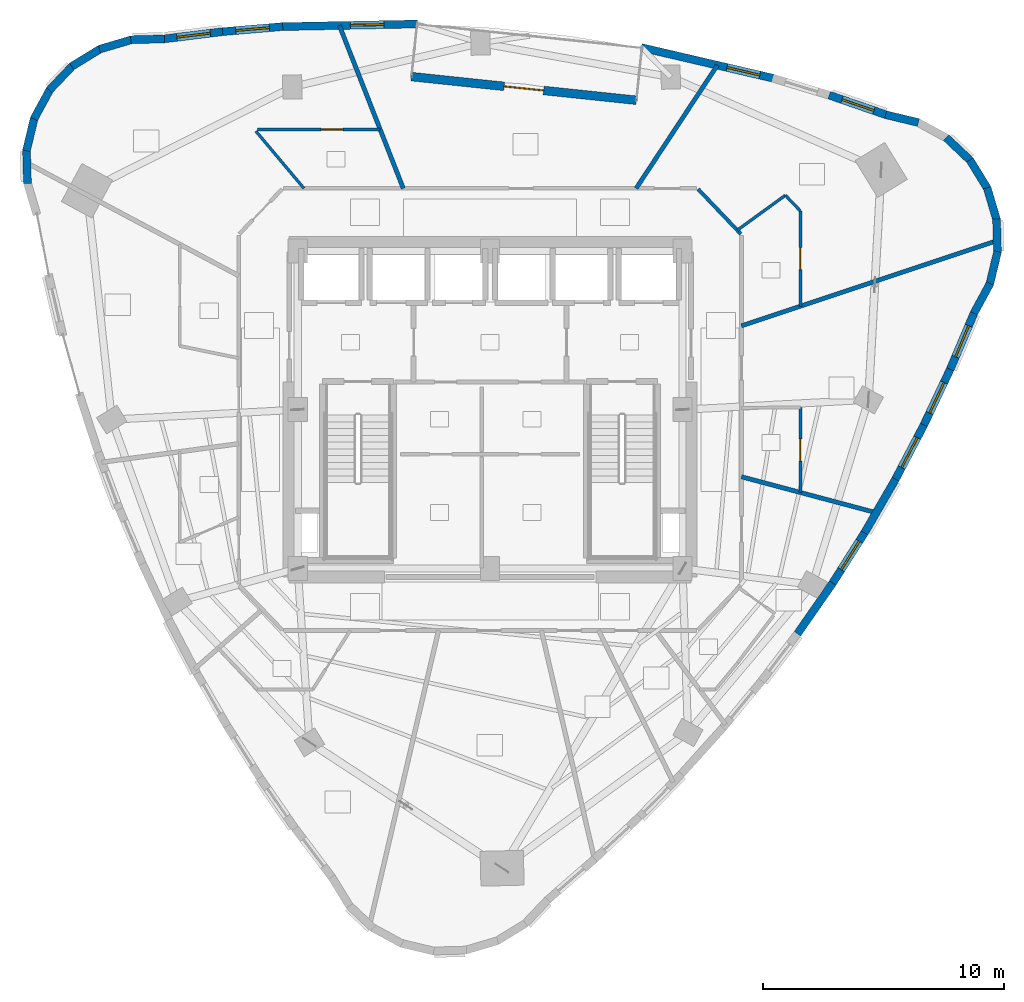
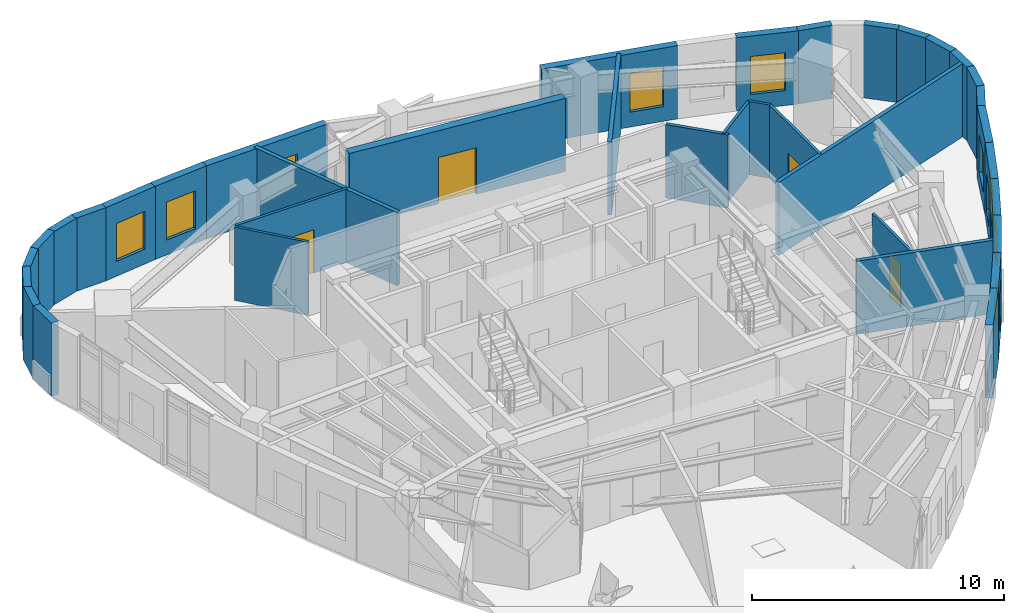
# One storey, part 12 of 16: 37 walls, 9 windows, 4 doors, 13 openings.
"""IFC4 building model written with IfcOpenShell, lengths in metres."""

import ifcopenshell
import ifcopenshell.guid

model = None  # the IFC model being written
_history = None  # IfcOwnerHistory: only IFC2X3 demands one
_inside = {}  # id of a spatial element -> (the spatial element, [elements in it])
_under = {}  # id of a project, library or spatial element -> (it, [spatial elements below it])
_declared = {}  # id of a project -> (the project, [libraries it declares])
_typed = {}  # id of a type object -> (the type object, [elements of that type])
_made_of = {}  # id of a material, layer set ... -> (it, [elements and type objects made of it])


def new_model(schema):
    """Start an empty IFC model of exactly this schema.

    Asked for "IFC4X3", IfcOpenShell would pick the latest addendum, in which some entities
    have other attributes; the version numbers below select the first issue.
    IFC2X3 requires an IfcOwnerHistory on every rooted entity: one is made here for all.
    """
    global model, _history
    if schema == "IFC4X3":
        model = ifcopenshell.file(schema_version=(4, 3, 0, 0))
    else:
        model = ifcopenshell.file(schema=schema)
    _inside.clear()
    _under.clear()
    _declared.clear()
    _typed.clear()
    _made_of.clear()
    _history = None
    if model.schema == "IFC2X3":
        org = make("IfcOrganization", Name="unknown")
        user = make(
            "IfcPersonAndOrganization",
            ThePerson=make("IfcPerson", FamilyName="unknown"),
            TheOrganization=org,
        )
        app = make(
            "IfcApplication",
            ApplicationDeveloper=org,
            Version="unknown",
            ApplicationFullName="unknown",
            ApplicationIdentifier="unknown",
        )
        _history = make(
            "IfcOwnerHistory",
            OwningUser=user,
            OwningApplication=app,
            ChangeAction="ADDED",
            CreationDate=0,
        )
    return model


def make(cls, **values):
    """One entity of the class cls with the attributes given. An attribute that is None is left unset."""
    return model.create_entity(
        cls, **{name: value for name, value in values.items() if value is not None}
    )


def rooted(cls, **values):
    """An entity with a GlobalId (a new one), such as an element, a storey or a relation."""
    return make(cls, GlobalId=ifcopenshell.guid.new(), OwnerHistory=_history, **values)


def si_unit(unit_type, name, prefix=None):
    """IfcSIUnit, for example si_unit("LENGTHUNIT", "METRE", prefix="MILLI")."""
    return make("IfcSIUnit", UnitType=unit_type, Prefix=prefix, Name=name)


def assignment(units):
    """IfcUnitAssignment: the units of a project."""
    return None if units is None else make("IfcUnitAssignment", Units=units)


def point(xyz):
    """IfcCartesianPoint."""
    return None if xyz is None else make("IfcCartesianPoint", Coordinates=xyz)


def direction(xyz):
    """IfcDirection."""
    return None if xyz is None else make("IfcDirection", DirectionRatios=xyz)


def frame(location, z_axis=None, x_axis=None):
    """IfcAxis2Placement3D, a coordinate frame: its origin and axes. An axis left out is left unset."""
    return make(
        "IfcAxis2Placement3D",
        Location=point(location),
        Axis=direction(z_axis),
        RefDirection=direction(x_axis),
    )


def frame_2d(location, x_axis=None):
    """IfcAxis2Placement2D, a coordinate frame in the plane: its origin and x axis."""
    return make(
        "IfcAxis2Placement2D", Location=point(location), RefDirection=direction(x_axis)
    )


def origin():
    """The frame at (0, 0, 0) with its axes left unset."""
    return frame((0.0, 0.0, 0.0))


def place(relative_to, where):
    """IfcLocalPlacement: puts the frame where relative to a parent placement (None: the world)."""
    return make(
        "IfcLocalPlacement", PlacementRelTo=relative_to, RelativePlacement=where
    )


def context(
    kind, dimensions, precision=None, world=None, true_north=None, identifier=None
):
    """IfcGeometricRepresentationContext, for example the 3D "Model" context."""
    return make(
        "IfcGeometricRepresentationContext",
        ContextIdentifier=identifier,
        ContextType=kind,
        CoordinateSpaceDimension=dimensions,
        Precision=precision,
        WorldCoordinateSystem=world,
        TrueNorth=true_north,
    )


def subcontext(parent, identifier, kind, view, scale=None):
    """IfcGeometricRepresentationSubContext, for example "Body" below "Model"."""
    return make(
        "IfcGeometricRepresentationSubContext",
        ContextIdentifier=identifier,
        ContextType=kind,
        ParentContext=parent,
        TargetScale=scale,
        TargetView=view,
    )


def project(units=None, contexts=None):
    """IfcProject with its units and contexts."""
    return rooted(
        "IfcProject",
        Name="project",
        RepresentationContexts=contexts,
        UnitsInContext=assignment(units),
    )


def spatial(cls, under=None, at=None, **own):
    """A site, building, storey or space (cls), placed at a placement, below another one or the project."""
    s = rooted(cls, ObjectPlacement=at, **own)
    if under is not None:
        _under.setdefault(under.id(), (under, []))[1].append(s)
    return s


def profile(cls, at=None, kind="AREA", **sizes):
    """A parametric profile (cls). Its sizes go by their IFC names, for example OverallWidth=200.0."""
    return make(cls, ProfileType=kind, Position=at, **sizes)


def rectangle(**sizes):
    """IfcRectangleProfileDef."""
    return profile("IfcRectangleProfileDef", **sizes)


def extrude(swept, where, along, depth):
    """IfcExtrudedAreaSolid: the profile swept, set in the frame where, extruded along a direction by depth."""
    return make(
        "IfcExtrudedAreaSolid",
        SweptArea=swept,
        Position=where,
        ExtrudedDirection=direction(along),
        Depth=depth,
    )


def shape(context_of_items, identifier, shape_type, items):
    """IfcShapeRepresentation: the items that make up one representation, for example the "Body"."""
    return make(
        "IfcShapeRepresentation",
        ContextOfItems=context_of_items,
        RepresentationIdentifier=identifier,
        RepresentationType=shape_type,
        Items=items,
    )


def material(Name=None, Category=None):
    """IfcMaterial."""
    return make("IfcMaterial", Name=Name, Category=Category)


def layer(
    of_material, thickness, ventilated=None, Name=None, Category=None, Priority=None
):
    """IfcMaterialLayer: one layer of a wall or slab, of a material (None: an air gap)."""
    return make(
        "IfcMaterialLayer",
        Material=of_material,
        LayerThickness=thickness,
        IsVentilated=ventilated,
        Name=Name,
        Category=Category,
        Priority=Priority,
    )


def layer_set(layers, Name=None):
    """IfcMaterialLayerSet."""
    return make("IfcMaterialLayerSet", MaterialLayers=layers, LayerSetName=Name)


def made_of(thing, what):
    """Note that an element or type object is made of a material, layer set ...; save() writes the relation."""
    if what is not None:
        _made_of.setdefault(what.id(), (what, []))[1].append(thing)
    return thing


def type_object(cls, material=None, **own):
    """A type object (cls), such as IfcWallType, which elements share."""
    return made_of(rooted(cls, **own), material)


def element(
    cls,
    number,
    at=None,
    inside=None,
    cuts=None,
    type_object=None,
    material=None,
    context=None,
    identifier="Body",
    shape_type=None,
    held_by="IfcProductDefinitionShape",
    body=None,
    shapes=None,
    **own,
):
    """One element of the class cls, such as IfcWall. Its Tag is "e" and its number.

    at: its placement. inside: the storey or other place that contains it. cuts: it is an
    opening in that element (IfcRelVoidsElement). A single representation is given by context,
    identifier, shape_type and body (its items); several are given by shapes. held_by: the class
    of the entity that holds the representations. save() writes the other relations.
    """
    e = rooted(cls, Tag="e%d" % number, ObjectPlacement=at, **own)
    if body is not None:
        shapes = [shape(context, identifier, shape_type, body)]
    if shapes is not None:
        e.Representation = make(held_by, Representations=shapes)
    if inside is not None:
        _inside.setdefault(inside.id(), (inside, []))[1].append(e)
    if cuts is not None:
        rooted(
            "IfcRelVoidsElement", RelatingBuildingElement=cuts, RelatedOpeningElement=e
        )
    if type_object is not None:
        _typed.setdefault(type_object.id(), (type_object, []))[1].append(e)
    return made_of(e, material)


def fill(opening, filler):
    """IfcRelFillsElement: the door or window that sits in an opening."""
    return rooted(
        "IfcRelFillsElement",
        RelatingOpeningElement=opening,
        RelatedBuildingElement=filler,
    )


def aggregate(whole, parts):
    """IfcRelAggregates: a whole, such as a stair, and the parts it consists of."""
    return rooted("IfcRelAggregates", RelatingObject=whole, RelatedObjects=parts)


def save(model, path):
    """Write the relations noted so far, then the file.

    IfcRelAggregates (storeys below a building ...), IfcRelContainedInSpatialStructure (elements
    in a storey), IfcRelDefinesByType, IfcRelAssociatesMaterial and IfcRelDeclares: one each for
    every whole, place, type object, material and project.
    """
    for whole, parts in _under.values():
        aggregate(whole, parts)
    for where, things in _inside.values():
        rooted(
            "IfcRelContainedInSpatialStructure",
            RelatedElements=things,
            RelatingStructure=where,
        )
    for kind, things in _typed.values():
        rooted("IfcRelDefinesByType", RelatedObjects=things, RelatingType=kind)
    for what, things in _made_of.values():
        rooted("IfcRelAssociatesMaterial", RelatedObjects=things, RelatingMaterial=what)
    for by, libraries in _declared.values():
        rooted("IfcRelDeclares", RelatingContext=by, RelatedDefinitions=libraries)
    model.write(path)


model = new_model("IFC4")

# Units and contexts
model_context = context("Model", 3, precision=1e-05, world=origin(), true_north=direction((0.0, 1.0)))
body_context = subcontext(model_context, "Body", "Model", "MODEL_VIEW")
ifc_project = project(units=[si_unit("LENGTHUNIT", "METRE"), si_unit("AREAUNIT", "SQUARE_METRE"), si_unit("VOLUMEUNIT", "CUBIC_METRE"), si_unit("PLANEANGLEUNIT", "RADIAN"), si_unit("MASSUNIT", "GRAM", prefix="KILO")], contexts=[model_context])

# Site, building, storey
site_placement = place(None, origin())
site = spatial("IfcSite", under=ifc_project, at=site_placement, CompositionType="ELEMENT")
building_placement = place(site_placement, origin())
building = spatial("IfcBuilding", under=site, at=building_placement, Name="Ndelora Gate Hotel", CompositionType="ELEMENT")
storey_placement = place(building_placement, frame((0.0, 0.0, 182.75)))
storey = spatial("IfcBuildingStorey", under=building, at=storey_placement, Name="L45", CompositionType="ELEMENT", Elevation=182.75)

# Walls
ifc_material_1 = material(Name="Acoustic Double-Stud Gypsum Assembly", Category="gypsum")
ifc_layer_1 = layer(ifc_material_1, 0.179931640625)
ifc_layer_set_1 = layer_set([ifc_layer_1], Name="Acoustic Double-Stud Gypsum Assembly")
wall_type_1 = type_object("IfcWallType", Name="WL-ACOUST-180", PredefinedType="PARTITIONING", material=ifc_layer_set_1)
wall_1_placement = place(storey_placement, frame((10.449951171875, -2.788330078125, 0.0), z_axis=(0.0, 0.0, 1.0), x_axis=(0.966187404049, -0.257840842879, 0.0)))
element("IfcWall", 1, at=wall_1_placement, inside=storey, type_object=wall_type_1, Name="L45 Interior Wall IW-3", PredefinedType="PARTITIONING", context=body_context, shape_type="SweptSolid", body=[
    extrude(rectangle(XDim=5.798583984375, YDim=0.179931640625, at=frame_2d((2.8994140625, 0.0))), origin(), (0.0, 0.0, 1.0), 3.550048828125),
])
wall_2_placement = place(storey_placement, frame((10.449951171875, 3.48388671875, 0.0), z_axis=(0.0, 0.0, 1.0), x_axis=(0.94867676156, 0.316247374812, 0.0)))
element("IfcWall", 2, at=wall_2_placement, inside=storey, type_object=wall_type_1, Name="L45 Interior Wall IW-3", PredefinedType="PARTITIONING", context=body_context, shape_type="SweptSolid", body=[
    extrude(rectangle(XDim=11.20556640625, YDim=0.179931640625, at=frame_2d((5.602783203125, 0.0))), origin(), (0.0, 0.0, 1.0), 3.550048828125),
])
wall_3_placement = place(storey_placement, frame((6.0703125, 9.199951171875, 0.0), z_axis=(0.0, 0.0, 1.0), x_axis=(0.550708603457, 0.834697570428, 0.0)))
element("IfcWall", 3, at=wall_3_placement, inside=storey, type_object=wall_type_1, Name="L45 Interior Wall IW-3", PredefinedType="PARTITIONING", context=body_context, shape_type="SweptSolid", body=[
    extrude(rectangle(XDim=6.135498046875, YDim=0.179931640625, at=frame_2d((3.06787109375, 0.0))), origin(), (0.0, 0.0, 1.0), 3.550048828125),
])
wall_4_placement = place(storey_placement, frame((-3.608642578125, 9.199951171875, 0.0), z_axis=(0.0, 0.0, 1.0), x_axis=(-0.365139424443, 0.930952845593, 0.0)))
element("IfcWall", 4, at=wall_4_placement, inside=storey, type_object=wall_type_1, Name="L45 Interior Wall IW-3", PredefinedType="PARTITIONING", context=body_context, shape_type="SweptSolid", body=[
    extrude(rectangle(XDim=7.275390625, YDim=0.179931640625, at=frame_2d((3.6376953125, 0.0))), origin(), (0.0, 0.0, 1.0), 3.550048828125),
])
ifc_material_2 = material(Name="Clay Brick Masonry", Category="masonry")
ifc_layer_2 = layer(ifc_material_2, 0.330078125)
ifc_layer_set_2 = layer_set([ifc_layer_2], Name="Clay Brick Masonry")
wall_type_2 = type_object("IfcWallType", Name="WL-BRICK-330", PredefinedType="SOLIDWALL", material=ifc_layer_set_2)
wall_5_placement = place(storey_placement, frame((-14.938232421875, 15.37939453125, 0.0), z_axis=(0.0, 0.0, 1.0), x_axis=(0.999656913907, 0.02619264168, 0.0)))
element("IfcWall", 5, at=wall_5_placement, inside=storey, type_object=wall_type_2, Name="L45 Tower Brick Pier-and-Spandrel Wall TWR-1", PredefinedType="SOLIDWALL", context=body_context, shape_type="SweptSolid", body=[
    extrude(rectangle(XDim=1.407470703125, YDim=0.330078125, at=frame_2d((0.70361328125, 0.0))), origin(), (0.0, 0.0, 1.0), 3.550048828125),
])
wall_6_placement = place(storey_placement, frame((-16.23876953125, 14.9873046875, 0.0), z_axis=(0.0, 0.0, 1.0), x_axis=(0.958794613149, 0.284100140437, 0.0)))
element("IfcWall", 6, at=wall_6_placement, inside=storey, type_object=wall_type_2, Name="L45 Tower Brick Pier-and-Spandrel Wall TWR-2", PredefinedType="SOLIDWALL", context=body_context, shape_type="SweptSolid", body=[
    extrude(rectangle(XDim=1.40771484375, YDim=0.330078125, at=frame_2d((0.703857421875, 0.0))), origin(), (0.0, 0.0, 1.0), 3.550048828125),
])
wall_7_placement = place(storey_placement, frame((-17.3935546875, 14.272216796875, 0.0), z_axis=(0.0, 0.0, 1.0), x_axis=(0.852633662668, 0.522509174355, 0.0)))
element("IfcWall", 7, at=wall_7_placement, inside=storey, type_object=wall_type_2, Name="L45 Tower Brick Pier-and-Spandrel Wall TWR-3", PredefinedType="SOLIDWALL", context=body_context, shape_type="SweptSolid", body=[
    extrude(rectangle(XDim=1.4072265625, YDim=0.330078125, at=frame_2d((0.70361328125, 0.0))), origin(), (0.0, 0.0, 1.0), 3.550048828125),
])
wall_8_placement = place(storey_placement, frame((-18.323974609375, 13.282470703125, 0.0), z_axis=(0.0, 0.0, 1.0), x_axis=(0.688480442028, 0.725254907563, 0.0)))
element("IfcWall", 8, at=wall_8_placement, inside=storey, type_object=wall_type_2, Name="L45 Tower Brick Pier-and-Spandrel Wall TWR-4", PredefinedType="SOLIDWALL", context=body_context, shape_type="SweptSolid", body=[
    extrude(rectangle(XDim=1.407470703125, YDim=0.330078125, at=frame_2d((0.70361328125, 0.0))), origin(), (0.0, 0.0, 1.0), 3.550048828125),
])
wall_9_placement = place(storey_placement, frame((-18.96630859375, 12.085693359375, 0.0), z_axis=(0.0, 0.0, 1.0), x_axis=(0.477076549129, 0.878861744685, 0.0)))
element("IfcWall", 9, at=wall_9_placement, inside=storey, type_object=wall_type_2, Name="L45 Tower Brick Pier-and-Spandrel Wall TWR-5", PredefinedType="SOLIDWALL", context=body_context, shape_type="SweptSolid", body=[
    extrude(rectangle(XDim=1.4072265625, YDim=0.330078125, at=frame_2d((0.70361328125, 0.0))), origin(), (0.0, 0.0, 1.0), 3.550048828125),
])
for number, where, z_axis, x_axis, name in (
    (10, (-19.277099609375, 10.76318359375, 0.0), (0.0, 0.0, 1.0), (0.233464793771, 0.972365255482, 0.0), "L45 Tower Brick Pier-and-Spandrel Wall TWR-6"),
    (11, (-19.235107421875, 9.405517578125, 0.0), (0.0, 0.0, 1.0), (-0.02619264168, 0.999656913907, 0.0), "L45 Tower Brick Pier-and-Spandrel Wall TWR-7"),
):
    element("IfcWall", number, at=place(storey_placement, frame(where, z_axis=z_axis, x_axis=x_axis)), inside=storey, type_object=wall_type_2, Name=name, PredefinedType="SOLIDWALL", context=body_context, shape_type="SweptSolid", body=[
        extrude(rectangle(XDim=1.407470703125, YDim=0.330078125, at=frame_2d((0.70361328125, 0.0))), origin(), (0.0, 0.0, 1.0), 3.550048828125),
    ])
wall_10_placement = place(storey_placement, frame((14.244140625, -7.208740234375, 0.0), z_axis=(0.0, 0.0, 1.0), x_axis=(-0.5707327312, -0.821135889812, 0.0)))
element("IfcWall", 12, at=wall_10_placement, inside=storey, type_object=wall_type_2, Name="L45 Tower Brick Pier-and-Spandrel Wall TWR-35", PredefinedType="SOLIDWALL", context=body_context, shape_type="SweptSolid", body=[
    extrude(rectangle(XDim=2.566162109375, YDim=0.330078125, at=frame_2d((1.283203125, 0.0))), origin(), (0.0, 0.0, 1.0), 3.550048828125),
])

# Wall, opening, window
wall_11_placement = place(storey_placement, frame((15.59375, -5.079833984375, 0.0), z_axis=(0.0, 0.0, 1.0), x_axis=(-0.535842668183, -0.844317851851, 0.0)))
wall_11 = element("IfcWall", 13, at=wall_11_placement, inside=storey, type_object=wall_type_2, Name="L45 Tower Brick Pier-and-Spandrel Wall TWR-36", PredefinedType="SOLIDWALL", context=body_context, shape_type="SweptSolid", body=[
    extrude(rectangle(XDim=2.570556640625, YDim=0.330078125, at=frame_2d((1.28515625, 0.0))), origin(), (0.0, 0.0, 1.0), 3.550048828125),
])
opening_1_placement = place(wall_11_placement, frame((0.4599609375, 0.0, 0.719970703125)))
opening_1 = element("IfcOpeningElement", 14, at=opening_1_placement, cuts=wall_11, Name="Opening W02", PredefinedType="OPENING", context=body_context, shape_type="SweptSolid", body=[
    extrude(rectangle(XDim=1.39990234375, YDim=1.840087890625, at=frame_2d((0.699951171875, 0.919921875))), frame((0.0, 0.175048828125, 0.0), z_axis=(0.0, -1.0, 0.0), x_axis=(1.0, 0.0, 0.0)), (0.0, 0.0, 1.0), 0.35009765625),
])
ifc_material_3 = material(Name="Insulated Low-E Double Glazing in Bronze Aluminium Frame", Category="aluminium")
window_type = type_object("IfcWindowType", Name="WN-DEEP-1400", PartitioningType="SINGLE_PANEL", PredefinedType="WINDOW", material=ifc_material_3)
window_1_placement = place(opening_1_placement, origin())
window_1 = element("IfcWindow", 15, at=window_1_placement, inside=storey, type_object=window_type, Name="L45 Deep-Set Brick-Pier Window W02", OverallHeight=1.840087890625, OverallWidth=1.39990234375, PartitioningType="SINGLE_PANEL", PredefinedType="WINDOW", context=body_context, shape_type="SweptSolid", body=[
    extrude(rectangle(XDim=1.39990234375, YDim=1.840087890625, at=frame_2d((0.699951171875, 0.919921875))), frame((0.0, 0.030029296875, 0.0), z_axis=(0.0, -1.0, 0.0), x_axis=(1.0, 0.0, 0.0)), (0.0, 0.0, 1.0), 0.06005859375),
])
fill(opening_1, window_1)

# Wall
wall_12_placement = place(storey_placement, frame((16.85791015625, -2.88916015625, 0.0), z_axis=(0.0, 0.0, 1.0), x_axis=(-0.500170355229, -0.865927026804, 0.0)))
element("IfcWall", 16, at=wall_12_placement, inside=storey, type_object=wall_type_2, Name="L45 Tower Brick Pier-and-Spandrel Wall TWR-37", PredefinedType="SOLIDWALL", context=body_context, shape_type="SweptSolid", body=[
    extrude(rectangle(XDim=2.5791015625, YDim=0.330078125, at=frame_2d((1.28955078125, 0.0))), origin(), (0.0, 0.0, 1.0), 3.550048828125),
])

# Wall, opening, window
wall_13_placement = place(storey_placement, frame((18.036865234375, -0.636474609375, 0.0), z_axis=(0.0, 0.0, 1.0), x_axis=(-0.464084409115, -0.885790980546, 0.0)))
wall_13 = element("IfcWall", 17, at=wall_13_placement, inside=storey, type_object=wall_type_2, Name="L45 Tower Brick Pier-and-Spandrel Wall TWR-38", PredefinedType="SOLIDWALL", context=body_context, shape_type="SweptSolid", body=[
    extrude(rectangle(XDim=2.592529296875, YDim=0.330078125, at=frame_2d((1.29638671875, 0.0))), origin(), (0.0, 0.0, 1.0), 3.550048828125),
])
opening_2_placement = place(wall_13_placement, frame((0.59619140625, 0.0, 0.719970703125)))
opening_2 = element("IfcOpeningElement", 18, at=opening_2_placement, cuts=wall_13, Name="Opening W02", PredefinedType="OPENING", context=body_context, shape_type="SweptSolid", body=[
    extrude(rectangle(XDim=1.39990234375, YDim=1.840087890625, at=frame_2d((0.699951171875, 0.919921875))), frame((0.0, 0.175048828125, 0.0), z_axis=(0.0, -1.0, 0.0), x_axis=(1.0, 0.0, 0.0)), (0.0, 0.0, 1.0), 0.35009765625),
])
window_2_placement = place(opening_2_placement, origin())
window_2 = element("IfcWindow", 19, at=window_2_placement, inside=storey, type_object=window_type, Name="L45 Deep-Set Brick-Pier Window W02", OverallHeight=1.840087890625, OverallWidth=1.39990234375, PartitioningType="SINGLE_PANEL", PredefinedType="WINDOW", context=body_context, shape_type="SweptSolid", body=[
    extrude(rectangle(XDim=1.39990234375, YDim=1.840087890625, at=frame_2d((0.699951171875, 0.919921875))), frame((0.0, 0.030029296875, 0.0), z_axis=(0.0, -1.0, 0.0), x_axis=(1.0, 0.0, 0.0)), (0.0, 0.0, 1.0), 0.06005859375),
])
fill(opening_2, window_2)

wall_14_placement = place(storey_placement, frame((19.130126953125, 1.678466796875, 0.0), z_axis=(0.0, 0.0, 1.0), x_axis=(-0.427463017216, -0.904032836191, 0.0)))
wall_14 = element("IfcWall", 20, at=wall_14_placement, inside=storey, type_object=wall_type_2, Name="L45 Tower Brick Pier-and-Spandrel Wall TWR-39", PredefinedType="SOLIDWALL", context=body_context, shape_type="SweptSolid", body=[
    extrude(rectangle(XDim=2.610107421875, YDim=0.330078125, at=frame_2d((1.30517578125, 0.0))), origin(), (0.0, 0.0, 1.0), 3.550048828125),
])
opening_3_placement = place(wall_14_placement, frame((0.60498046875, 0.0, 0.719970703125)))
opening_3 = element("IfcOpeningElement", 21, at=opening_3_placement, cuts=wall_14, Name="Opening W02", PredefinedType="OPENING", context=body_context, shape_type="SweptSolid", body=[
    extrude(rectangle(XDim=1.39990234375, YDim=1.840087890625, at=frame_2d((0.699951171875, 0.919921875))), frame((0.0, 0.175048828125, 0.0), z_axis=(0.0, -1.0, 0.0), x_axis=(1.0, 0.0, 0.0)), (0.0, 0.0, 1.0), 0.35009765625),
])
window_3_placement = place(opening_3_placement, origin())
window_3 = element("IfcWindow", 22, at=window_3_placement, inside=storey, type_object=window_type, Name="L45 Deep-Set Brick-Pier Window W02", OverallHeight=1.840087890625, OverallWidth=1.39990234375, PartitioningType="SINGLE_PANEL", PredefinedType="WINDOW", context=body_context, shape_type="SweptSolid", body=[
    extrude(rectangle(XDim=1.39990234375, YDim=1.840087890625, at=frame_2d((0.699951171875, 0.919921875))), frame((0.0, 0.030029296875, 0.0), z_axis=(0.0, -1.0, 0.0), x_axis=(1.0, 0.0, 0.0)), (0.0, 0.0, 1.0), 0.06005859375),
])
fill(opening_3, window_3)

wall_15_placement = place(storey_placement, frame((20.13818359375, 4.05517578125, 0.0), z_axis=(0.0, 0.0, 1.0), x_axis=(-0.390838099147, -0.920459439766, 0.0)))
wall_15 = element("IfcWall", 23, at=wall_15_placement, inside=storey, type_object=wall_type_2, Name="L45 Tower Brick Pier-and-Spandrel Wall TWR-40", PredefinedType="SOLIDWALL", context=body_context, shape_type="SweptSolid", body=[
    extrude(rectangle(XDim=2.631591796875, YDim=0.330078125, at=frame_2d((1.31591796875, 0.0))), origin(), (0.0, 0.0, 1.0), 3.550048828125),
])
opening_4_placement = place(wall_15_placement, frame((0.61572265625, 0.0, 0.719970703125)))
opening_4 = element("IfcOpeningElement", 24, at=opening_4_placement, cuts=wall_15, Name="Opening W02", PredefinedType="OPENING", context=body_context, shape_type="SweptSolid", body=[
    extrude(rectangle(XDim=1.39990234375, YDim=1.840087890625, at=frame_2d((0.699951171875, 0.919921875))), frame((0.0, 0.175048828125, 0.0), z_axis=(0.0, -1.0, 0.0), x_axis=(1.0, 0.0, 0.0)), (0.0, 0.0, 1.0), 0.35009765625),
])
window_4_placement = place(opening_4_placement, origin())
window_4 = element("IfcWindow", 25, at=window_4_placement, inside=storey, type_object=window_type, Name="L45 Deep-Set Brick-Pier Window W02", OverallHeight=1.840087890625, OverallWidth=1.39990234375, PartitioningType="SINGLE_PANEL", PredefinedType="WINDOW", context=body_context, shape_type="SweptSolid", body=[
    extrude(rectangle(XDim=1.39990234375, YDim=1.840087890625, at=frame_2d((0.699951171875, 0.919921875))), frame((0.0, 0.030029296875, 0.0), z_axis=(0.0, -1.0, 0.0), x_axis=(1.0, 0.0, 0.0)), (0.0, 0.0, 1.0), 0.06005859375),
])
fill(opening_4, window_4)

# Walls
wall_16_placement = place(storey_placement, frame((20.7880859375, 5.247314453125, 0.0), z_axis=(0.0, 0.0, 1.0), x_axis=(-0.477137792558, -0.878828496871, 0.0)))
element("IfcWall", 26, at=wall_16_placement, inside=storey, type_object=wall_type_2, Name="L45 Tower Brick Pier-and-Spandrel Wall TWR-41", PredefinedType="SOLIDWALL", context=body_context, shape_type="SweptSolid", body=[
    extrude(rectangle(XDim=1.40771484375, YDim=0.330078125, at=frame_2d((0.703857421875, 0.0))), origin(), (0.0, 0.0, 1.0), 3.550048828125),
])
for number, where, z_axis, x_axis, name in (
    (27, (21.098876953125, 6.569580078125, 0.0), (0.0, 0.0, 1.0), (-0.233464793771, -0.972365255482, 0.0), "L45 Tower Brick Pier-and-Spandrel Wall TWR-42"),
    (28, (21.056884765625, 7.92724609375, 0.0), (0.0, 0.0, 1.0), (0.02619264168, -0.999656913907, 0.0), "L45 Tower Brick Pier-and-Spandrel Wall TWR-43"),
):
    element("IfcWall", number, at=place(storey_placement, frame(where, z_axis=z_axis, x_axis=x_axis)), inside=storey, type_object=wall_type_2, Name=name, PredefinedType="SOLIDWALL", context=body_context, shape_type="SweptSolid", body=[
        extrude(rectangle(XDim=1.407470703125, YDim=0.330078125, at=frame_2d((0.70361328125, 0.0))), origin(), (0.0, 0.0, 1.0), 3.550048828125),
    ])
wall_17_placement = place(storey_placement, frame((20.664794921875, 9.227783203125, 0.0), z_axis=(0.0, 0.0, 1.0), x_axis=(0.284100140437, -0.958794613149, 0.0)))
element("IfcWall", 29, at=wall_17_placement, inside=storey, type_object=wall_type_2, Name="L45 Tower Brick Pier-and-Spandrel Wall TWR-44", PredefinedType="SOLIDWALL", context=body_context, shape_type="SweptSolid", body=[
    extrude(rectangle(XDim=1.40771484375, YDim=0.330078125, at=frame_2d((0.703857421875, 0.0))), origin(), (0.0, 0.0, 1.0), 3.550048828125),
])
for number, where, z_axis, x_axis, name in (
    (30, (19.94970703125, 10.382568359375, 0.0), (0.0, 0.0, 1.0), (0.522509174355, -0.852633662668, 0.0), "L45 Tower Brick Pier-and-Spandrel Wall TWR-45"),
    (31, (18.9599609375, 11.312744140625, 0.0), (0.0, 0.0, 1.0), (0.725341527104, -0.688389184298, 0.0), "L45 Tower Brick Pier-and-Spandrel Wall TWR-46"),
    (32, (16.44091796875, 12.26611328125, 0.0), (0.0, 0.0, 1.0), (0.972355799013, -0.23350417582, 0.0), "L45 Tower Brick Pier-and-Spandrel Wall TWR-48"),
):
    element("IfcWall", number, at=place(storey_placement, frame(where, z_axis=z_axis, x_axis=x_axis)), inside=storey, type_object=wall_type_2, Name=name, PredefinedType="SOLIDWALL", context=body_context, shape_type="SweptSolid", body=[
        extrude(rectangle(XDim=1.4072265625, YDim=0.330078125, at=frame_2d((0.70361328125, 0.0))), origin(), (0.0, 0.0, 1.0), 3.550048828125),
    ])

# Wall, opening, window
wall_18_placement = place(storey_placement, frame((14.09814453125, 13.0771484375, 0.0), z_axis=(0.0, 0.0, 1.0), x_axis=(0.945270347183, -0.326288171311, 0.0)))
wall_18 = element("IfcWall", 33, at=wall_18_placement, inside=storey, type_object=wall_type_2, Name="L45 Tower Brick Pier-and-Spandrel Wall TWR-49", PredefinedType="SOLIDWALL", context=body_context, shape_type="SweptSolid", body=[
    extrude(rectangle(XDim=2.529052734375, YDim=0.330078125, at=frame_2d((1.2646484375, 0.0))), origin(), (0.0, 0.0, 1.0), 3.550048828125),
])
opening_5_placement = place(wall_18_placement, frame((0.564453125, 0.0, 0.719970703125)))
opening_5 = element("IfcOpeningElement", 34, at=opening_5_placement, cuts=wall_18, Name="Opening W02", PredefinedType="OPENING", context=body_context, shape_type="SweptSolid", body=[
    extrude(rectangle(XDim=1.39990234375, YDim=1.840087890625, at=frame_2d((0.699951171875, 0.919921875))), frame((0.0, 0.175048828125, 0.0), z_axis=(0.0, -1.0, 0.0), x_axis=(1.0, 0.0, 0.0)), (0.0, 0.0, 1.0), 0.35009765625),
])
window_5_placement = place(opening_5_placement, origin())
window_5 = element("IfcWindow", 35, at=window_5_placement, inside=storey, type_object=window_type, Name="L45 Deep-Set Brick-Pier Window W02", OverallHeight=1.840087890625, OverallWidth=1.39990234375, PartitioningType="SINGLE_PANEL", PredefinedType="WINDOW", context=body_context, shape_type="SweptSolid", body=[
    extrude(rectangle(XDim=1.39990234375, YDim=1.840087890625, at=frame_2d((0.699951171875, 0.919921875))), frame((0.0, 0.030029296875, 0.0), z_axis=(0.0, -1.0, 0.0), x_axis=(1.0, 0.0, 0.0)), (0.0, 0.0, 1.0), 0.06005859375),
])
fill(opening_5, window_5)

wall_19_placement = place(storey_placement, frame((6.28369140625, 15.05859375, 0.0), z_axis=(0.0, 0.0, 1.0), x_axis=(0.973919150731, -0.226895323527, 0.0)))
wall_19 = element("IfcWall", 36, at=wall_19_placement, inside=storey, type_object=wall_type_2, Name="L45 Tower Brick Pier-and-Spandrel Wall TWR-51", PredefinedType="SOLIDWALL", context=body_context, shape_type="SweptSolid", body=[
    extrude(rectangle(XDim=5.656494140625, YDim=0.330078125, at=frame_2d((2.828125, 0.0))), origin(), (0.0, 0.0, 1.0), 3.550048828125),
])
opening_6_placement = place(wall_19_placement, frame((3.659912109375, 0.0, 0.719970703125)))
opening_6 = element("IfcOpeningElement", 37, at=opening_6_placement, cuts=wall_19, Name="Opening W02", PredefinedType="OPENING", context=body_context, shape_type="SweptSolid", body=[
    extrude(rectangle(XDim=1.39990234375, YDim=1.8798828125, at=frame_2d((0.699951171875, 0.93994140625))), frame((0.0, 0.175048828125, 0.0), z_axis=(0.0, -1.0, 0.0), x_axis=(1.0, 0.0, 0.0)), (0.0, 0.0, 1.0), 0.35009765625),
])
window_6_placement = place(opening_6_placement, origin())
window_6 = element("IfcWindow", 38, at=window_6_placement, inside=storey, type_object=window_type, Name="L45 Deep-Set Brick-Pier Window W02", OverallHeight=1.8798828125, OverallWidth=1.39990234375, PartitioningType="SINGLE_PANEL", PredefinedType="WINDOW", context=body_context, shape_type="SweptSolid", body=[
    extrude(rectangle(XDim=1.39990234375, YDim=1.8798828125, at=frame_2d((0.699951171875, 0.93994140625))), frame((0.0, 0.030029296875, 0.0), z_axis=(0.0, -1.0, 0.0), x_axis=(1.0, 0.0, 0.0)), (0.0, 0.0, 1.0), 0.06005859375),
])
fill(opening_6, window_6)

wall_20_placement = place(storey_placement, frame((-8.671142578125, 15.926025390625, 0.0), z_axis=(0.0, 0.0, 1.0), x_axis=(0.999810548716, 0.019464497862, 0.0)))
wall_20 = element("IfcWall", 39, at=wall_20_placement, inside=storey, type_object=wall_type_2, Name="L45 Tower Brick Pier-and-Spandrel Wall TWR-56", PredefinedType="SOLIDWALL", context=body_context, shape_type="SweptSolid", body=[
    extrude(rectangle(XDim=5.65673828125, YDim=0.330078125, at=frame_2d((2.828369140625, 0.0))), origin(), (0.0, 0.0, 1.0), 3.550048828125),
])
opening_7_placement = place(wall_20_placement, frame((2.860107421875, 0.0, 0.719970703125)))
opening_7 = element("IfcOpeningElement", 40, at=opening_7_placement, cuts=wall_20, Name="Opening W02", PredefinedType="OPENING", context=body_context, shape_type="SweptSolid", body=[
    extrude(rectangle(XDim=1.39990234375, YDim=1.8798828125, at=frame_2d((0.699951171875, 0.93994140625))), frame((0.0, 0.175048828125, 0.0), z_axis=(0.0, -1.0, 0.0), x_axis=(1.0, 0.0, 0.0)), (0.0, 0.0, 1.0), 0.35009765625),
])
window_7_placement = place(opening_7_placement, origin())
window_7 = element("IfcWindow", 41, at=window_7_placement, inside=storey, type_object=window_type, Name="L45 Deep-Set Brick-Pier Window W02", OverallHeight=1.8798828125, OverallWidth=1.39990234375, PartitioningType="SINGLE_PANEL", PredefinedType="WINDOW", context=body_context, shape_type="SweptSolid", body=[
    extrude(rectangle(XDim=1.39990234375, YDim=1.8798828125, at=frame_2d((0.699951171875, 0.93994140625))), frame((0.0, 0.030029296875, 0.0), z_axis=(0.0, -1.0, 0.0), x_axis=(1.0, 0.0, 0.0)), (0.0, 0.0, 1.0), 0.06005859375),
])
fill(opening_7, window_7)

wall_21_placement = place(storey_placement, frame((-11.12109375, 15.71728515625, 0.0), z_axis=(0.0, 0.0, 1.0), x_axis=(0.996442999906, 0.084269495891, 0.0)))
wall_21 = element("IfcWall", 42, at=wall_21_placement, inside=storey, type_object=wall_type_2, Name="L45 Tower Brick Pier-and-Spandrel Wall TWR-57", PredefinedType="SOLIDWALL", context=body_context, shape_type="SweptSolid", body=[
    extrude(rectangle(XDim=2.509033203125, YDim=0.330078125, at=frame_2d((1.25439453125, 0.0))), origin(), (0.0, 0.0, 1.0), 3.550048828125),
])
opening_8_placement = place(wall_21_placement, frame((0.554443359375, 0.0, 0.719970703125)))
opening_8 = element("IfcOpeningElement", 43, at=opening_8_placement, cuts=wall_21, Name="Opening W02", PredefinedType="OPENING", context=body_context, shape_type="SweptSolid", body=[
    extrude(rectangle(XDim=1.39990234375, YDim=1.840087890625, at=frame_2d((0.699951171875, 0.919921875))), frame((0.0, 0.175048828125, 0.0), z_axis=(0.0, -1.0, 0.0), x_axis=(1.0, 0.0, 0.0)), (0.0, 0.0, 1.0), 0.35009765625),
])
window_8_placement = place(opening_8_placement, origin())
window_8 = element("IfcWindow", 44, at=window_8_placement, inside=storey, type_object=window_type, Name="L45 Deep-Set Brick-Pier Window W02", OverallHeight=1.840087890625, OverallWidth=1.39990234375, PartitioningType="SINGLE_PANEL", PredefinedType="WINDOW", context=body_context, shape_type="SweptSolid", body=[
    extrude(rectangle(XDim=1.39990234375, YDim=1.840087890625, at=frame_2d((0.699951171875, 0.919921875))), frame((0.0, 0.030029296875, 0.0), z_axis=(0.0, -1.0, 0.0), x_axis=(1.0, 0.0, 0.0)), (0.0, 0.0, 1.0), 0.06005859375),
])
fill(opening_8, window_8)

wall_22_placement = place(storey_placement, frame((-13.5810546875, 15.41259765625, 0.0), z_axis=(0.0, 0.0, 1.0), x_axis=(0.992455084251, 0.122608750681, 0.0)))
wall_22 = element("IfcWall", 45, at=wall_22_placement, inside=storey, type_object=wall_type_2, Name="L45 Tower Brick Pier-and-Spandrel Wall TWR-58", PredefinedType="SOLIDWALL", context=body_context, shape_type="SweptSolid", body=[
    extrude(rectangle(XDim=2.52880859375, YDim=0.330078125, at=frame_2d((1.264404296875, 0.0))), origin(), (0.0, 0.0, 1.0), 3.550048828125),
])
opening_9_placement = place(wall_22_placement, frame((0.564453125, 0.0, 0.719970703125)))
opening_9 = element("IfcOpeningElement", 46, at=opening_9_placement, cuts=wall_22, Name="Opening W02", PredefinedType="OPENING", context=body_context, shape_type="SweptSolid", body=[
    extrude(rectangle(XDim=1.39990234375, YDim=1.840087890625, at=frame_2d((0.699951171875, 0.919921875))), frame((0.0, 0.175048828125, 0.0), z_axis=(0.0, -1.0, 0.0), x_axis=(1.0, 0.0, 0.0)), (0.0, 0.0, 1.0), 0.35009765625),
])
window_9_placement = place(opening_9_placement, origin())
window_9 = element("IfcWindow", 47, at=window_9_placement, inside=storey, type_object=window_type, Name="L45 Deep-Set Brick-Pier Window W02", OverallHeight=1.840087890625, OverallWidth=1.39990234375, PartitioningType="SINGLE_PANEL", PredefinedType="WINDOW", context=body_context, shape_type="SweptSolid", body=[
    extrude(rectangle(XDim=1.39990234375, YDim=1.840087890625, at=frame_2d((0.699951171875, 0.919921875))), frame((0.0, 0.030029296875, 0.0), z_axis=(0.0, -1.0, 0.0), x_axis=(1.0, 0.0, 0.0)), (0.0, 0.0, 1.0), 0.06005859375),
])
fill(opening_9, window_9)

# Wall, opening, door
ifc_layer_3 = layer(ifc_material_2, 0.360107421875)
ifc_layer_set_3 = layer_set([ifc_layer_3], Name="Clay Brick Masonry")
wall_type_3 = type_object("IfcWallType", Name="WL-BRICK-360", PredefinedType="SOLIDWALL", material=ifc_layer_set_3)
wall_23_placement = place(storey_placement, frame((-3.2705078125, 13.84765625, 0.0), z_axis=(0.0, 0.0, 1.0), x_axis=(0.994520954065, -0.104537418785, 0.0)))
wall_23 = element("IfcWall", 48, at=wall_23_placement, inside=storey, type_object=wall_type_3, Name="L45 Sky-Garden Loggia Rear Brick Wall", PredefinedType="SOLIDWALL", context=body_context, shape_type="SweptSolid", body=[
    extrude(rectangle(XDim=9.400146484375, YDim=0.360107421875, at=frame_2d((4.7001953125, 0.0))), origin(), (0.0, 0.0, 1.0), 3.550048828125),
])
opening_10_placement = place(wall_23_placement, frame((3.875, 0.0, 0.0)))
opening_10 = element("IfcOpeningElement", 49, at=opening_10_placement, cuts=wall_23, Name="Opening TD1", PredefinedType="OPENING", context=body_context, shape_type="SweptSolid", body=[
    extrude(rectangle(XDim=1.64990234375, YDim=2.25, at=frame_2d((0.824951171875, 1.125))), frame((0.0, 0.18994140625, 0.0), z_axis=(0.0, -1.0, 0.0), x_axis=(1.0, 0.0, 0.0)), (0.0, 0.0, 1.0), 0.380126953125),
])
ifc_material_4 = material(Name="Architectural Bronze Glazed Door", Category="metal")
door_type_1 = type_object("IfcDoorType", Name="DR-TER-1650", OperationType="DOUBLE_DOOR_SINGLE_SWING", PredefinedType="DOOR", material=ifc_material_4)
door_1_placement = place(opening_10_placement, origin())
door_1 = element("IfcDoor", 50, at=door_1_placement, inside=storey, type_object=door_type_1, Name="L45 Sky-Garden Terrace Double Door TD1", OperationType="DOUBLE_DOOR_SINGLE_SWING", OverallHeight=2.25, OverallWidth=1.64990234375, PredefinedType="DOOR", context=body_context, shape_type="SweptSolid", body=[
    extrude(rectangle(XDim=1.64990234375, YDim=2.25, at=frame_2d((0.824951171875, 1.125))), frame((0.0, 0.02490234375, 0.0), z_axis=(0.0, -1.0, 0.0), x_axis=(1.0, 0.0, 0.0)), (0.0, 0.0, 1.0), 0.050048828125),
])
fill(opening_10, door_1)

# Wall
ifc_material_5 = material(Name="Fire-Rated Gypsum Stud Partition", Category="gypsum")
ifc_layer_4 = layer(ifc_material_5, 0.14990234375)
ifc_layer_set_4 = layer_set([ifc_layer_4], Name="Fire-Rated Gypsum Stud Partition")
wall_type_4 = type_object("IfcWallType", Name="WL-PART-150", PredefinedType="PARTITIONING", material=ifc_layer_set_4)
wall_24_placement = place(storey_placement, frame((8.647705078125, 9.1708984375, 0.0), z_axis=(0.0, 0.0, 1.0), x_axis=(0.689960858356, -0.723846678473, 0.0)))
element("IfcWall", 51, at=wall_24_placement, inside=storey, type_object=wall_type_4, Name="L45 Interior Wall IW-5", PredefinedType="PARTITIONING", context=body_context, shape_type="SweptSolid", body=[
    extrude(rectangle(XDim=2.572021484375, YDim=0.14990234375, at=frame_2d((1.2861328125, 0.0))), origin(), (0.0, 0.0, 1.0), 3.550048828125),
])

# Wall, opening, door
ifc_material_6 = material(Name="Moisture-Resistant Bathroom Tile Partition", Category="gypsum")
ifc_layer_5 = layer(ifc_material_6, 0.1201171875)
ifc_layer_set_5 = layer_set([ifc_layer_5], Name="Moisture-Resistant Bathroom Tile Partition")
wall_type_5 = type_object("IfcWallType", Name="WL-WET-120", PredefinedType="PARTITIONING", material=ifc_layer_set_5)
wall_25_placement = place(storey_placement, frame((12.89990234375, 0.093017578125, 0.0), z_axis=(0.0, 0.0, 1.0), x_axis=(0.0, -1.0, 0.0)))
wall_25 = element("IfcWall", 52, at=wall_25_placement, inside=storey, type_object=wall_type_5, Name="L45 Interior Wall IW-7", PredefinedType="PARTITIONING", context=body_context, shape_type="SweptSolid", body=[
    extrude(rectangle(XDim=3.53515625, YDim=0.1201171875, at=frame_2d((1.767578125, 0.0))), origin(), (0.0, 0.0, 1.0), 3.22998046875),
])
opening_11_placement = place(wall_25_placement, frame((1.3076171875, 0.0, 0.0)))
opening_11 = element("IfcOpeningElement", 53, at=opening_11_placement, cuts=wall_25, Name="Opening D03", PredefinedType="OPENING", context=body_context, shape_type="SweptSolid", body=[
    extrude(rectangle(XDim=0.919921875, YDim=2.10009765625, at=frame_2d((0.4599609375, 1.050048828125))), frame((0.0, 0.070068359375, 0.0), z_axis=(0.0, -1.0, 0.0), x_axis=(1.0, 0.0, 0.0)), (0.0, 0.0, 1.0), 0.14013671875),
])
ifc_material_7 = material(Name="Moisture-Resistant Hardwood En-Suite Door", Category="wood")
door_type_2 = type_object("IfcDoorType", Name="DR-BATH-920", OperationType="SINGLE_SWING_LEFT", PredefinedType="DOOR", material=ifc_material_7)
door_2_placement = place(opening_11_placement, origin())
door_2 = element("IfcDoor", 54, at=door_2_placement, inside=storey, type_object=door_type_2, Name="L45 En-suite Bathroom 4802 Door", OperationType="SINGLE_SWING_LEFT", OverallHeight=2.10009765625, OverallWidth=0.919921875, PredefinedType="DOOR", context=body_context, shape_type="SweptSolid", body=[
    extrude(rectangle(XDim=0.919921875, YDim=2.10009765625, at=frame_2d((0.4599609375, 1.050048828125))), frame((0.0, 0.02490234375, 0.0), z_axis=(0.0, -1.0, 0.0), x_axis=(1.0, 0.0, 0.0)), (0.0, 0.0, 1.0), 0.050048828125),
])
fill(opening_11, door_2)

# Walls
wall_26_placement = place(storey_placement, frame((12.27685546875, 8.914306640625, 0.0), z_axis=(0.0, 0.0, 1.0), x_axis=(-0.809184297192, -0.587554910777, 0.0)))
element("IfcWall", 55, at=wall_26_placement, inside=storey, type_object=wall_type_5, Name="L45 Interior Wall IW-7", PredefinedType="PARTITIONING", context=body_context, shape_type="SweptSolid", body=[
    extrude(rectangle(XDim=2.471923828125, YDim=0.1201171875, at=frame_2d((1.23583984375, 0.0))), origin(), (0.0, 0.0, 1.0), 3.550048828125),
])
wall_27_placement = place(storey_placement, frame((12.27685546875, 8.914306640625, 0.0), z_axis=(0.0, 0.0, 1.0), x_axis=(0.689871145132, -0.723932181295, 0.0)))
element("IfcWall", 56, at=wall_27_placement, inside=storey, type_object=wall_type_5, Name="L45 Interior Wall IW-7", PredefinedType="PARTITIONING", context=body_context, shape_type="SweptSolid", body=[
    extrude(rectangle(XDim=0.903076171875, YDim=0.1201171875, at=frame_2d((0.45166015625, 0.0))), origin(), (0.0, 0.0, 1.0), 3.550048828125),
])

# Wall, opening, door
wall_28_placement = place(storey_placement, frame((12.89990234375, 8.260498046875, 0.0), z_axis=(0.0, 0.0, 1.0), x_axis=(0.0, -1.0, 0.0)))
wall_28 = element("IfcWall", 57, at=wall_28_placement, inside=storey, type_object=wall_type_5, Name="L45 Interior Wall IW-7", PredefinedType="PARTITIONING", context=body_context, shape_type="SweptSolid", body=[
    extrude(rectangle(XDim=3.9599609375, YDim=0.1201171875, at=frame_2d((1.97998046875, 0.0))), origin(), (0.0, 0.0, 1.0), 3.550048828125),
])
opening_12_placement = place(wall_28_placement, frame((1.52001953125, 0.0, 0.0)))
opening_12 = element("IfcOpeningElement", 58, at=opening_12_placement, cuts=wall_28, Name="Opening D03", PredefinedType="OPENING", context=body_context, shape_type="SweptSolid", body=[
    extrude(rectangle(XDim=0.919921875, YDim=2.10009765625, at=frame_2d((0.4599609375, 1.050048828125))), frame((0.0, 0.070068359375, 0.0), z_axis=(0.0, -1.0, 0.0), x_axis=(1.0, 0.0, 0.0)), (0.0, 0.0, 1.0), 0.14013671875),
])
door_3_placement = place(opening_12_placement, origin())
door_3 = element("IfcDoor", 59, at=door_3_placement, inside=storey, type_object=door_type_2, Name="L45 En-suite Bathroom 4803 Door", OperationType="SINGLE_SWING_RIGHT", OverallHeight=2.10009765625, OverallWidth=0.919921875, PredefinedType="DOOR", context=body_context, shape_type="SweptSolid", body=[
    extrude(rectangle(XDim=0.919921875, YDim=2.10009765625, at=frame_2d((0.4599609375, 1.050048828125))), frame((0.0, 0.02490234375, 0.0), z_axis=(0.0, -1.0, 0.0), x_axis=(1.0, 0.0, 0.0)), (0.0, 0.0, 1.0), 0.050048828125),
])
fill(opening_12, door_3)

# Wall
wall_29_placement = place(storey_placement, frame((-7.736328125, 9.199951171875, 0.0), z_axis=(0.0, 0.0, 1.0), x_axis=(-0.643615619496, 0.765348897131, 0.0)))
element("IfcWall", 60, at=wall_29_placement, inside=storey, type_object=wall_type_5, Name="L45 Interior Wall IW-7", PredefinedType="PARTITIONING", context=body_context, shape_type="SweptSolid", body=[
    extrude(rectangle(XDim=3.108642578125, YDim=0.1201171875, at=frame_2d((1.55419921875, 0.0))), origin(), (0.0, 0.0, 1.0), 3.550048828125),
])

# Wall, opening, door
wall_30_placement = place(storey_placement, frame((-9.66943359375, 11.64990234375, 0.0), z_axis=(0.0, 0.0, 1.0), x_axis=(1.0, 0.0, 0.0)))
wall_30 = element("IfcWall", 61, at=wall_30_placement, inside=storey, type_object=wall_type_5, Name="L45 Interior Wall IW-7", PredefinedType="PARTITIONING", context=body_context, shape_type="SweptSolid", body=[
    extrude(rectangle(XDim=5.099853515625, YDim=0.1201171875, at=frame_2d((2.5498046875, 0.0))), origin(), (0.0, 0.0, 1.0), 3.550048828125),
])
opening_13_placement = place(wall_30_placement, frame((2.639892578125, 0.0, 0.0)))
opening_13 = element("IfcOpeningElement", 62, at=opening_13_placement, cuts=wall_30, Name="Opening D03", PredefinedType="OPENING", context=body_context, shape_type="SweptSolid", body=[
    extrude(rectangle(XDim=0.919921875, YDim=2.10009765625, at=frame_2d((0.4599609375, 1.050048828125))), frame((0.0, 0.070068359375, 0.0), z_axis=(0.0, -1.0, 0.0), x_axis=(1.0, 0.0, 0.0)), (0.0, 0.0, 1.0), 0.14013671875),
])
door_4_placement = place(opening_13_placement, origin())
door_4 = element("IfcDoor", 63, at=door_4_placement, inside=storey, type_object=door_type_2, Name="L45 En-suite Bathroom 4804 Door", OperationType="SINGLE_SWING_LEFT", OverallHeight=2.10009765625, OverallWidth=0.919921875, PredefinedType="DOOR", context=body_context, shape_type="SweptSolid", body=[
    extrude(rectangle(XDim=0.919921875, YDim=2.10009765625, at=frame_2d((0.4599609375, 1.050048828125))), frame((0.0, 0.02490234375, 0.0), z_axis=(0.0, -1.0, 0.0), x_axis=(1.0, 0.0, 0.0)), (0.0, 0.0, 1.0), 0.050048828125),
])
fill(opening_13, door_4)

save(model, "model.ifc")
